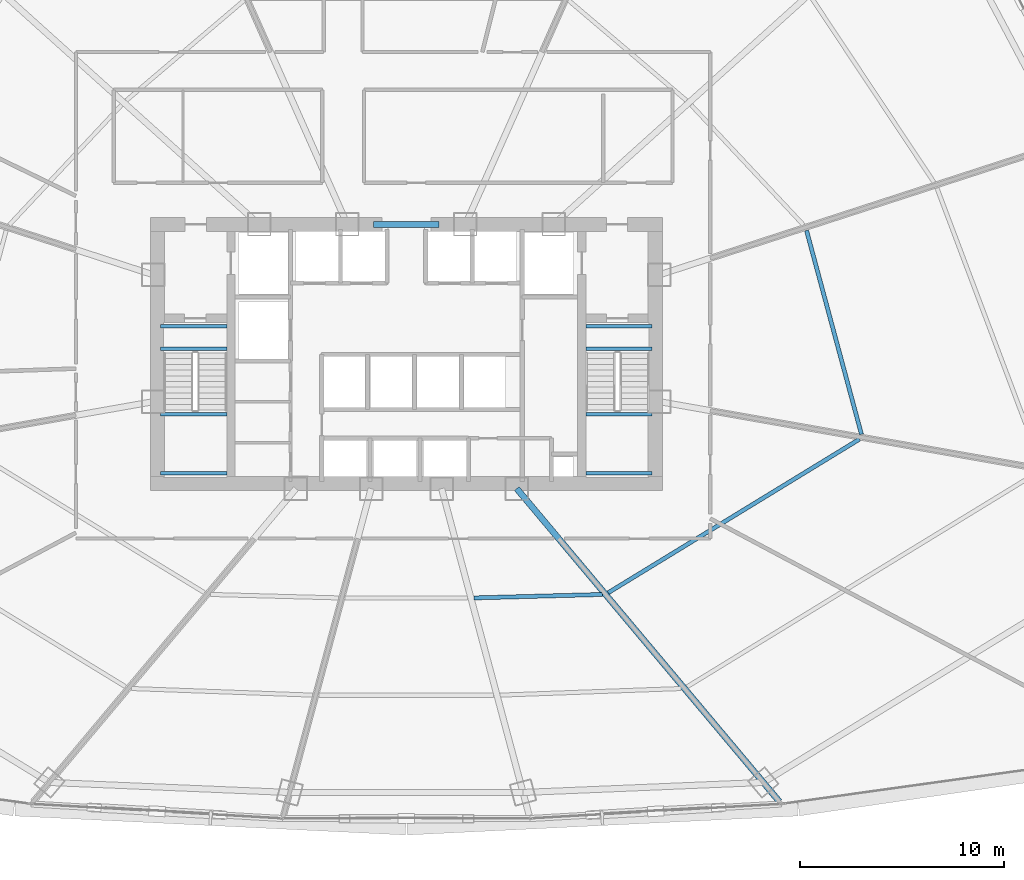
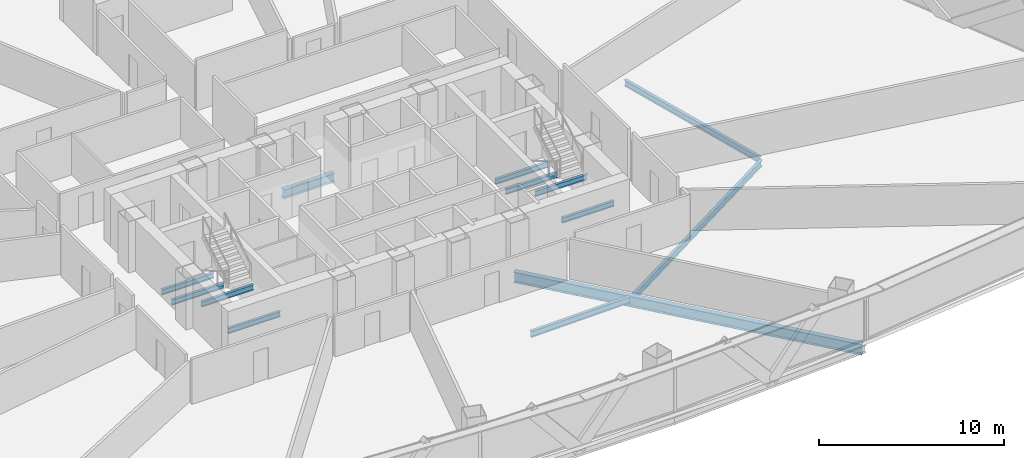
# One storey, part 13 of 37: 13 beams.
"""IFC4 building model written with IfcOpenShell, lengths in metres."""

from ifc_helpers import new_model, si_unit, direction, frame, origin, origin_2d, place, context, subcontext, project, spatial, i_section, extrude, source, transform, mapped, material, material_profile, profile_set, type_object, element, save


model = new_model("IFC4")

# Units and contexts
model_context = context("Model", 3, precision=1e-05, world=origin(), true_north=direction((0.0, 1.0)))
body_context = subcontext(model_context, "Body", "Model", "MODEL_VIEW")
ifc_project = project(units=[si_unit("LENGTHUNIT", "METRE"), si_unit("AREAUNIT", "SQUARE_METRE"), si_unit("VOLUMEUNIT", "CUBIC_METRE"), si_unit("PLANEANGLEUNIT", "RADIAN"), si_unit("MASSUNIT", "GRAM", prefix="KILO"), si_unit("THERMODYNAMICTEMPERATUREUNIT", "KELVIN"), si_unit("POWERUNIT", "WATT")], contexts=[model_context])

# Site, building, storey
site_placement = place(None, origin())
site = spatial("IfcSite", under=ifc_project, at=site_placement, CompositionType="ELEMENT")
building_placement = place(site_placement, origin())
building = spatial("IfcBuilding", under=site, at=building_placement, Name="Yunzhuo Pagoda Commons", CompositionType="ELEMENT")
storey_placement = place(building_placement, frame((0.0, 0.0, 55.81005859375)))
storey = spatial("IfcBuildingStorey", under=building, at=storey_placement, Name="L14", CompositionType="ELEMENT", Elevation=55.81005859375)

# Beams
ifc_material_1 = material(Name="Structural steel Q355B", Category="steel")
ifc_material_profile_1 = material_profile(ifc_material_1, i_section(OverallWidth=0.175048828125, OverallDepth=0.35009765625, WebThickness=0.007080078125, FlangeThickness=0.010986328125, at=origin_2d()), Name="Structural steel Q355B")
ifc_profile_set_1 = profile_set([ifc_material_profile_1], Name="Structural steel Q355B")
beam_type_1 = type_object("IfcBeamType", Name="B-JS2 Joist HN 350x175x7x11", PredefinedType="JOIST", material=ifc_profile_set_1)
shared_shape_1 = source(origin(), body_context, "Body", "SweptSolid", [
    extrude(i_section(OverallWidth=0.175048828125, OverallDepth=0.35009765625, WebThickness=0.007080078125, FlangeThickness=0.010986328125, at=origin_2d()), origin(), (0.0, 0.0, 1.0), 3.25),
])
for number, where, z_axis, x_axis, name in (
    (1, (35.949951171875, 28.0, 1.43994140625), (1.0, 0.0, 0.0), (0.0, 1.0, 0.0), "L14 ST1 landing support beam 18A"),
    (2, (35.949951171875, 30.89990234375, 1.43994140625), (1.0, 0.0, 0.0), (0.0, 1.0, 0.0), "L14 ST1 landing support beam 18B"),
    (3, (35.949951171875, 34.10009765625, -0.375), (1.0, 0.0, 0.0), (0.0, 1.0, 0.0), "L14 ST1 landing support beam 118A"),
    (4, (35.949951171875, 35.199951171875, -0.375), (1.0, 0.0, 0.0), (0.0, 1.0, 0.0), "L14 ST1 landing support beam 118B"),
    (5, (56.800048828125, 28.0, 1.43994140625), (1.0, 0.0, 0.0), (0.0, 1.0, 0.0), "L14 ST2 landing support beam 18A"),
    (6, (56.800048828125, 30.89990234375, 1.43994140625), (1.0, 0.0, 0.0), (0.0, 1.0, 0.0), "L14 ST2 landing support beam 18B"),
    (7, (56.800048828125, 34.10009765625, -0.375), (1.0, 0.0, 0.0), (0.0, 1.0, 0.0), "L14 ST2 landing support beam 118A"),
    (8, (56.800048828125, 35.199951171875, -0.375), (1.0, 0.0, 0.0), (0.0, 1.0, 0.0), "L14 ST2 landing support beam 118B"),
):
    element("IfcBeam", number, at=place(storey_placement, frame(where, z_axis=z_axis, x_axis=x_axis)), inside=storey, type_object=beam_type_1, Name=name, PredefinedType="JOIST", context=body_context, shape_type="MappedRepresentation", body=[
        mapped(shared_shape_1, transform((0.0, 0.0, 0.0), scale=1.0)),
    ])
ifc_material_2 = material(Name="Structural steel Q420B", Category="steel")
ifc_material_profile_2 = material_profile(ifc_material_2, i_section(OverallWidth=0.300048828125, OverallDepth=0.587890625, WebThickness=0.011962890625, FlangeThickness=0.02001953125, at=origin_2d()), Name="Structural steel Q420B")
ifc_profile_set_2 = profile_set([ifc_material_profile_2], Name="Structural steel Q420B")
beam_type_2 = type_object("IfcBeamType", Name="B-CPL Beam HM 588x300x12x20", PredefinedType="BEAM", material=ifc_profile_set_2)
shared_shape_2 = source(origin(), body_context, "Body", "SweptSolid", [
    extrude(i_section(OverallWidth=0.300048828125, OverallDepth=0.587890625, WebThickness=0.011962890625, FlangeThickness=0.02001953125, at=origin_2d()), origin(), (0.0, 0.0, 1.0), 3.2001953125),
])
beam_1_placement = place(storey_placement, frame((46.39990234375, 40.199951171875, -0.5537109375), z_axis=(1.0, 0.0, 0.0), x_axis=(0.0, 1.0, 0.0)))
element("IfcBeam", 9, at=beam_1_placement, inside=storey, type_object=beam_type_2, Name="L14 core coupling girder", PredefinedType="BEAM", context=body_context, shape_type="MappedRepresentation", body=[
    mapped(shared_shape_2, transform((0.0, 0.0, 0.0), scale=1.0)),
])
ifc_material_profile_3 = material_profile(ifc_material_1, i_section(OverallWidth=0.199951171875, OverallDepth=0.39990234375, WebThickness=0.008056640625, FlangeThickness=0.012939453125, at=origin_2d()), Name="Structural steel Q355B")
ifc_profile_set_3 = profile_set([ifc_material_profile_3], Name="Structural steel Q355B")
beam_type_3 = type_object("IfcBeamType", Name="B-JS1 Joist HN 400x200x8x13", PredefinedType="JOIST", material=ifc_profile_set_3)
shared_shape_3 = source(origin(), body_context, "Body", "SweptSolid", [
    extrude(i_section(OverallWidth=0.199951171875, OverallDepth=0.39990234375, WebThickness=0.008056640625, FlangeThickness=0.012939453125, at=origin_2d()), origin(), (0.0, 0.0, 1.0), 6.283203125),
])
beam_2_placement = place(storey_placement, frame((51.32421875, 21.89111328125, -0.4599609375), z_axis=(0.999638450037, 0.026888086735, 0.0), x_axis=(-0.026888086735, 0.999638450037, 0.0)))
element("IfcBeam", 10, at=beam_2_placement, inside=storey, type_object=beam_type_3, Name="L14 composite ring joist 1.3", PredefinedType="JOIST", context=body_context, shape_type="MappedRepresentation", body=[
    mapped(shared_shape_3, transform((0.0, 0.0, 0.0), scale=1.0)),
])
shared_shape_4 = source(origin(), body_context, "Body", "SweptSolid", [
    extrude(i_section(OverallWidth=0.199951171875, OverallDepth=0.39990234375, WebThickness=0.008056640625, FlangeThickness=0.012939453125, at=origin_2d()), origin(), (0.0, 0.0, 1.0), 14.4365234375),
])
beam_3_placement = place(storey_placement, frame((57.8994140625, 22.14697265625, -0.4599609375), z_axis=(0.85325633277, 0.521491735876, 0.0), x_axis=(-0.521491735876, 0.85325633277, 0.0)))
element("IfcBeam", 11, at=beam_3_placement, inside=storey, type_object=beam_type_3, Name="L14 composite ring joist 1.4", PredefinedType="JOIST", context=body_context, shape_type="MappedRepresentation", body=[
    mapped(shared_shape_4, transform((0.0, 0.0, 0.0), scale=1.0)),
])
shared_shape_5 = source(origin(), body_context, "Body", "SweptSolid", [
    extrude(i_section(OverallWidth=0.199951171875, OverallDepth=0.39990234375, WebThickness=0.008056640625, FlangeThickness=0.012939453125, at=origin_2d()), origin(), (0.0, 0.0, 1.0), 10.351806640625),
])
beam_4_placement = place(storey_placement, frame((70.311767578125, 29.912109375, -0.4599609375), z_axis=(-0.260208595802, 0.965552425646, 0.0), x_axis=(-0.965552425646, -0.260208595802, 0.0)))
element("IfcBeam", 12, at=beam_4_placement, inside=storey, type_object=beam_type_3, Name="L14 composite ring joist 1.5", PredefinedType="JOIST", context=body_context, shape_type="MappedRepresentation", body=[
    mapped(shared_shape_5, transform((0.0, 0.0, 0.0), scale=1.0)),
])
ifc_material_profile_4 = material_profile(ifc_material_1, i_section(OverallWidth=0.300048828125, OverallDepth=0.699951171875, WebThickness=0.012939453125, FlangeThickness=0.02392578125, at=origin_2d()), Name="Structural steel Q355B")
ifc_profile_set_4 = profile_set([ifc_material_profile_4], Name="Structural steel Q355B")
beam_type_4 = type_object("IfcBeamType", Name="B-RG1 Beam HN 700x300x13x24", PredefinedType="BEAM", material=ifc_profile_set_4)
shared_shape_6 = source(origin(), body_context, "Body", "SweptSolid", [
    extrude(i_section(OverallWidth=0.300048828125, OverallDepth=0.699951171875, WebThickness=0.012939453125, FlangeThickness=0.02392578125, at=origin_2d()), origin(), (0.0, 0.0, 1.0), 20.031005859375),
])
beam_5_placement = place(storey_placement, frame((66.287841796875, 11.9052734375, -0.610107421875), z_axis=(-0.642786965849, 0.766044983362, 0.0), x_axis=(-0.766044983362, -0.642786965849, 0.0)))
element("IfcBeam", 13, at=beam_5_placement, inside=storey, type_object=beam_type_4, Name="L14 radial floor girder F1C4", PredefinedType="BEAM", context=body_context, shape_type="MappedRepresentation", body=[
    mapped(shared_shape_6, transform((0.0, 0.0, 0.0), scale=1.0)),
])

save(model, "model.ifc")
